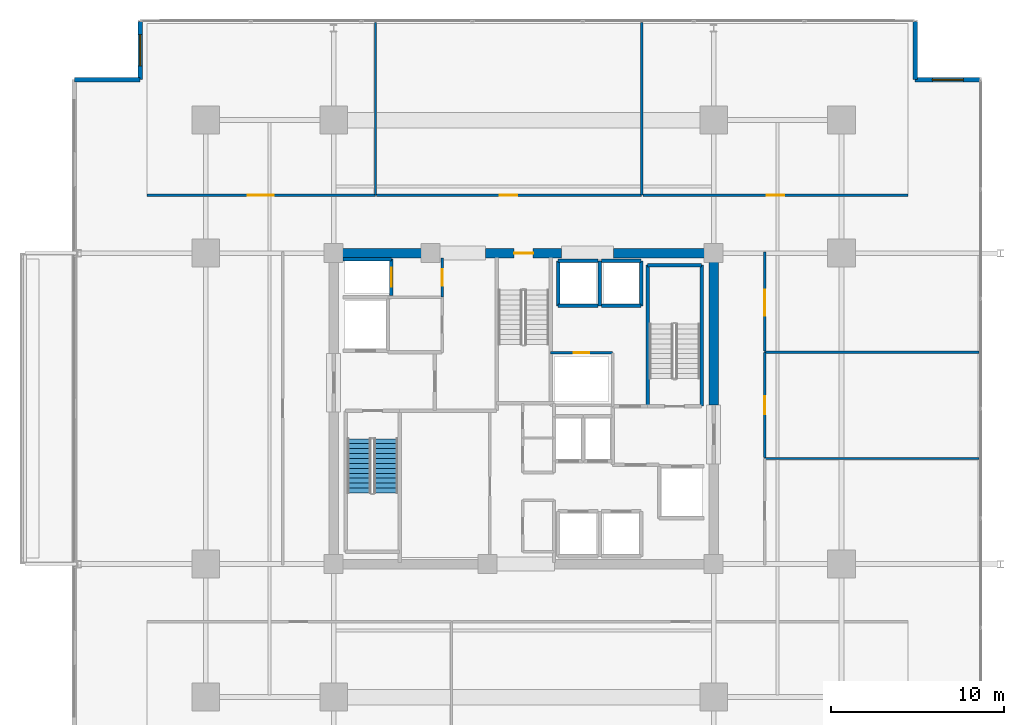
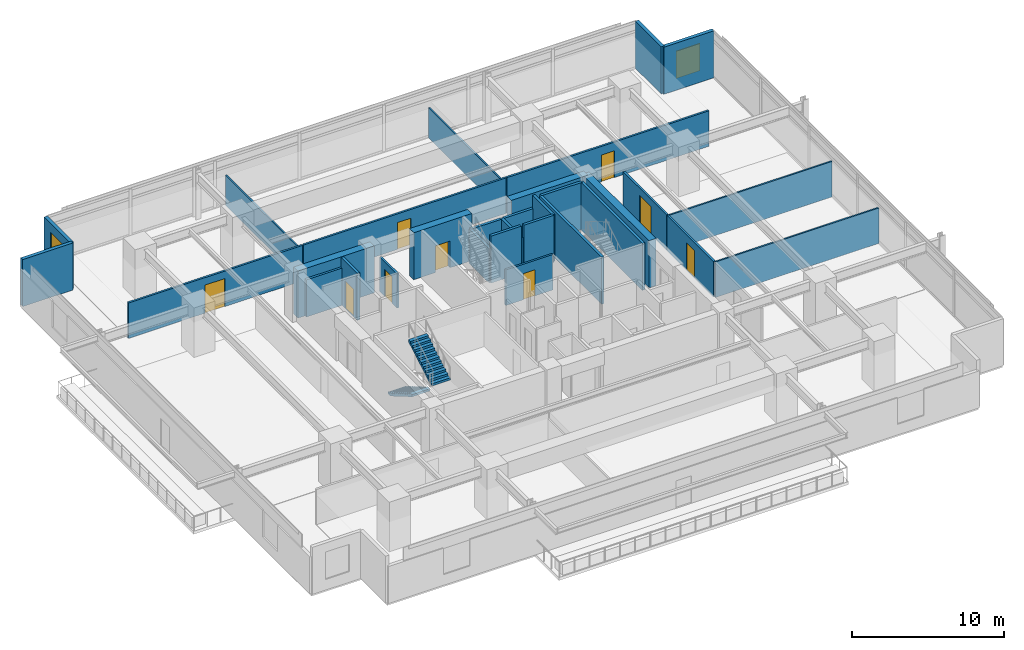
# One storey, part 16 of 23: 31 walls, 9 doors, 2 stair flights, 2 windows, 11 openings, 1 element without a shape of its own.
"""IFC4 building model written with IfcOpenShell, lengths in metres."""

from ifc_helpers import new_model, si_unit, direction, frame, frame_2d, origin, place, context, subcontext, project, spatial, polyline, rectangle, outline, extrude, material, layer, layer_set, type_object, element, fill, aggregate, save


model = new_model("IFC4")

# Units and contexts
model_context = context("Model", 3, precision=1e-05, world=origin(), true_north=direction((0.0, 1.0)))
body_context = subcontext(model_context, "Body", "Model", "MODEL_VIEW")
ifc_project = project(units=[si_unit("LENGTHUNIT", "METRE"), si_unit("AREAUNIT", "SQUARE_METRE"), si_unit("VOLUMEUNIT", "CUBIC_METRE"), si_unit("PLANEANGLEUNIT", "RADIAN"), si_unit("MASSUNIT", "GRAM", prefix="KILO")], contexts=[model_context])

# Site, building, storey
site_placement = place(None, origin())
site = spatial("IfcSite", under=ifc_project, at=site_placement, CompositionType="ELEMENT")
building_placement = place(site_placement, origin())
building = spatial("IfcBuilding", under=site, at=building_placement, Name="Kovane Verandah Tower", CompositionType="ELEMENT")
storey_placement = place(building_placement, frame((0.0, 0.0, 140.39990234375)))
storey = spatial("IfcBuildingStorey", under=building, at=storey_placement, Name="L32", CompositionType="ELEMENT", Elevation=140.39990234375)

# Wall, opening, door
ifc_material_1 = material(Name="Fire-Rated Gypsum Stud Partition", Category="gypsum")
ifc_layer_1 = layer(ifc_material_1, 0.14990234375)
ifc_layer_set_1 = layer_set([ifc_layer_1], Name="Fire-Rated Gypsum Stud Partition")
wall_type_1 = type_object("IfcWallType", Name="WL-COR-150", PredefinedType="PARTITIONING", material=ifc_layer_set_1)
wall_1_placement = place(storey_placement, frame((35.280029296875, 33.949951171875, 0.0), z_axis=(0.0, 0.0, 1.0), x_axis=(0.0, 1.0, 0.0)))
wall_1 = element("IfcWall", 1, at=wall_1_placement, inside=storey, type_object=wall_type_1, Name="L32 Goods Lift Lobby East Fire Partition", PredefinedType="PARTITIONING", context=body_context, shape_type="SweptSolid", body=[
    extrude(rectangle(XDim=2.27001953125, YDim=0.14990234375, at=frame_2d((1.135009765625, 0.0))), origin(), (0.0, 0.0, 1.0), 2.755126953125),
])
opening_1_placement = place(wall_1_placement, frame((0.659912109375, 0.0, 0.0)))
opening_1 = element("IfcOpeningElement", 2, at=opening_1_placement, cuts=wall_1, Name="Opening DR-L32-008", PredefinedType="OPENING", context=body_context, shape_type="SweptSolid", body=[
    extrude(rectangle(XDim=0.949951171875, YDim=2.14990234375, at=frame_2d((0.47509765625, 1.074951171875))), frame((0.0, 0.074951171875, 0.0), z_axis=(0.0, -1.0, 0.0), x_axis=(1.0, 0.0, 0.0)), (0.0, 0.0, 1.0), 0.14990234375),
])
ifc_material_2 = material(Name="Fire-Rated Steel Refuge and Lobby Door", Category="steel")
door_type_1 = type_object("IfcDoorType", Name="DR-FIRE-950", OperationType="SINGLE_SWING_LEFT", PredefinedType="DOOR", material=ifc_material_2)
door_1_placement = place(opening_1_placement, origin())
door_1 = element("IfcDoor", 3, at=door_1_placement, inside=storey, type_object=door_type_1, Name="L32 Goods Lift Lobby Fire Door", OperationType="SINGLE_SWING_LEFT", OverallHeight=2.14990234375, OverallWidth=0.949951171875, PredefinedType="DOOR", context=body_context, shape_type="SweptSolid", body=[
    extrude(rectangle(XDim=0.949951171875, YDim=2.14990234375, at=frame_2d((0.47509765625, 1.074951171875))), frame((0.0, 0.02490234375, 0.0), z_axis=(0.0, -1.0, 0.0), x_axis=(1.0, 0.0, 0.0)), (0.0, 0.0, 1.0), 0.050048828125),
])
fill(opening_1, door_1)

wall_2_placement = place(storey_placement, frame((41.56005859375, 30.719970703125, 0.0), z_axis=(0.0, 0.0, 1.0), x_axis=(1.0, 0.0, 0.0)))
wall_2 = element("IfcWall", 4, at=wall_2_placement, inside=storey, type_object=wall_type_1, Name="L32 Combined Chilled Water and Smoke Duct Room Partition", PredefinedType="PARTITIONING", context=body_context, shape_type="SweptSolid", body=[
    extrude(rectangle(XDim=3.58984375, YDim=0.14990234375, at=frame_2d((1.794921875, 0.0))), origin(), (0.0, 0.0, 1.0), 2.85009765625),
])
opening_2_placement = place(wall_2_placement, frame((1.35498046875, 0.0, 0.0)))
opening_2 = element("IfcOpeningElement", 5, at=opening_2_placement, cuts=wall_2, Name="Opening DR-L32-016", PredefinedType="OPENING", context=body_context, shape_type="SweptSolid", body=[
    extrude(rectangle(XDim=0.8798828125, YDim=2.10009765625, at=frame_2d((0.43994140625, 1.050048828125))), frame((0.0, 0.074951171875, 0.0), z_axis=(0.0, -1.0, 0.0), x_axis=(1.0, 0.0, 0.0)), (0.0, 0.0, 1.0), 0.14990234375),
])
ifc_material_3 = material(Name="Fire-Rated Steel Riser Access Door", Category="steel")
door_type_2 = type_object("IfcDoorType", Name="DR-RISER-880", OperationType="SINGLE_SWING_LEFT", PredefinedType="DOOR", material=ifc_material_3)
door_2_placement = place(opening_2_placement, origin())
door_2 = element("IfcDoor", 6, at=door_2_placement, inside=storey, type_object=door_type_2, Name="L32 Combined Chilled Water and Smoke Duct Room Door", OperationType="SINGLE_SWING_RIGHT", OverallHeight=2.10009765625, OverallWidth=0.8798828125, PredefinedType="DOOR", context=body_context, shape_type="SweptSolid", body=[
    extrude(rectangle(XDim=0.8798828125, YDim=2.10009765625, at=frame_2d((0.43994140625, 1.050048828125))), frame((0.0, 0.02490234375, 0.0), z_axis=(0.0, -1.0, 0.0), x_axis=(1.0, 0.0, 0.0)), (0.0, 0.0, 1.0), 0.050048828125),
])
fill(opening_2, door_2)

wall_3_placement = place(storey_placement, frame((18.198974609375, 39.85009765625, 0.0), z_axis=(0.0, 0.0, 1.0), x_axis=(1.0, 0.0, 0.0)))
wall_3 = element("IfcWall", 7, at=wall_3_placement, inside=storey, type_object=wall_type_1, Name="L32 Client Boardroom N1 Corridor Partition", PredefinedType="PARTITIONING", context=body_context, shape_type="SweptSolid", body=[
    extrude(rectangle(XDim=13.217041015625, YDim=0.14990234375, at=frame_2d((6.6083984375, 0.0))), origin(), (0.0, 0.0, 1.0), 2.85009765625),
])
opening_3_placement = place(wall_3_placement, frame((5.823486328125, 0.0, 0.0)))
opening_3 = element("IfcOpeningElement", 8, at=opening_3_placement, cuts=wall_3, Name="Opening DR-L32-017", PredefinedType="OPENING", context=body_context, shape_type="SweptSolid", body=[
    extrude(rectangle(XDim=1.5, YDim=2.25, at=frame_2d((0.75, 1.125))), frame((0.0, 0.074951171875, 0.0), z_axis=(0.0, -1.0, 0.0), x_axis=(1.0, 0.0, 0.0)), (0.0, 0.0, 1.0), 0.14990234375),
])
ifc_material_4 = material(Name="Glazed Timber Fire-Rated Double Door", Category="wood")
door_type_3 = type_object("IfcDoorType", Name="DR-CONF-1500", OperationType="DOUBLE_DOOR_SINGLE_SWING", PredefinedType="DOOR", material=ifc_material_4)
door_3_placement = place(opening_3_placement, origin())
door_3 = element("IfcDoor", 9, at=door_3_placement, inside=storey, type_object=door_type_3, Name="L32 Client Boardroom N1 Entrance Door", OperationType="DOUBLE_DOOR_SINGLE_SWING", OverallHeight=2.25, OverallWidth=1.5, PredefinedType="DOOR", context=body_context, shape_type="SweptSolid", body=[
    extrude(rectangle(XDim=1.5, YDim=2.25, at=frame_2d((0.75, 1.125))), frame((0.0, 0.02490234375, 0.0), z_axis=(0.0, -1.0, 0.0), x_axis=(1.0, 0.0, 0.0)), (0.0, 0.0, 1.0), 0.050048828125),
])
fill(opening_3, door_3)

wall_4_placement = place(storey_placement, frame((31.486083984375, 39.85009765625, 0.0), z_axis=(0.0, 0.0, 1.0), x_axis=(1.0, 0.0, 0.0)))
wall_4 = element("IfcWall", 10, at=wall_4_placement, inside=storey, type_object=wall_type_1, Name="L32 Meeting Room N2 Corridor Partition", PredefinedType="PARTITIONING", context=body_context, shape_type="SweptSolid", body=[
    extrude(rectangle(XDim=15.35009765625, YDim=0.14990234375, at=frame_2d((7.675048828125, 0.0))), origin(), (0.0, 0.0, 1.0), 2.85009765625),
])
opening_4_placement = place(wall_4_placement, frame((7.139892578125, 0.0, 0.0)))
opening_4 = element("IfcOpeningElement", 11, at=opening_4_placement, cuts=wall_4, Name="Opening DR-L32-018", PredefinedType="OPENING", context=body_context, shape_type="SweptSolid", body=[
    extrude(rectangle(XDim=1.0, YDim=2.14990234375, at=frame_2d((0.5, 1.074951171875))), frame((0.0, 0.074951171875, 0.0), z_axis=(0.0, -1.0, 0.0), x_axis=(1.0, 0.0, 0.0)), (0.0, 0.0, 1.0), 0.14990234375),
])
ifc_material_5 = material(Name="FSC Spotted-Gum Timber Fire-Rated Office Door", Category="wood")
door_type_4 = type_object("IfcDoorType", Name="DR-OFF-1000", OperationType="SINGLE_SWING_LEFT", PredefinedType="DOOR", material=ifc_material_5)
door_4_placement = place(opening_4_placement, origin())
door_4 = element("IfcDoor", 12, at=door_4_placement, inside=storey, type_object=door_type_4, Name="L32 Meeting Room N2 Entrance Door", OperationType="SINGLE_SWING_RIGHT", OverallHeight=2.14990234375, OverallWidth=1.0, PredefinedType="DOOR", context=body_context, shape_type="SweptSolid", body=[
    extrude(rectangle(XDim=1.0, YDim=2.14990234375, at=frame_2d((0.5, 1.074951171875))), frame((0.0, 0.02490234375, 0.0), z_axis=(0.0, -1.0, 0.0), x_axis=(1.0, 0.0, 0.0)), (0.0, 0.0, 1.0), 0.050048828125),
])
fill(opening_4, door_4)

wall_5_placement = place(storey_placement, frame((46.906005859375, 39.85009765625, 0.0), z_axis=(0.0, 0.0, 1.0), x_axis=(1.0, 0.0, 0.0)))
wall_5 = element("IfcWall", 13, at=wall_5_placement, inside=storey, type_object=wall_type_1, Name="L32 Focus Studio N3 Corridor Partition", PredefinedType="PARTITIONING", context=body_context, shape_type="SweptSolid", body=[
    extrude(rectangle(XDim=15.35009765625, YDim=0.14990234375, at=frame_2d((7.675048828125, 0.0))), origin(), (0.0, 0.0, 1.0), 2.85009765625),
])
opening_5_placement = place(wall_5_placement, frame((7.175048828125, 0.0, 0.0)))
opening_5 = element("IfcOpeningElement", 14, at=opening_5_placement, cuts=wall_5, Name="Opening DR-L32-019", PredefinedType="OPENING", context=body_context, shape_type="SweptSolid", body=[
    extrude(rectangle(XDim=1.0, YDim=2.14990234375, at=frame_2d((0.5, 1.074951171875))), frame((0.0, 0.074951171875, 0.0), z_axis=(0.0, -1.0, 0.0), x_axis=(1.0, 0.0, 0.0)), (0.0, 0.0, 1.0), 0.14990234375),
])
door_5_placement = place(opening_5_placement, origin())
door_5 = element("IfcDoor", 15, at=door_5_placement, inside=storey, type_object=door_type_4, Name="L32 Focus Studio N3 Entrance Door", OperationType="SINGLE_SWING_LEFT", OverallHeight=2.14990234375, OverallWidth=1.0, PredefinedType="DOOR", context=body_context, shape_type="SweptSolid", body=[
    extrude(rectangle(XDim=1.0, YDim=2.14990234375, at=frame_2d((0.5, 1.074951171875))), frame((0.0, 0.02490234375, 0.0), z_axis=(0.0, -1.0, 0.0), x_axis=(1.0, 0.0, 0.0)), (0.0, 0.0, 1.0), 0.050048828125),
])
fill(opening_5, door_5)

wall_6_placement = place(storey_placement, frame((53.949951171875, 24.674072265625, 0.0), z_axis=(0.0, 0.0, 1.0), x_axis=(0.0, 1.0, 0.0)))
wall_6 = element("IfcWall", 16, at=wall_6_placement, inside=storey, type_object=wall_type_1, Name="L32 Executive Office E2 Corridor Partition", PredefinedType="PARTITIONING", context=body_context, shape_type="SweptSolid", body=[
    extrude(rectangle(XDim=6.083984375, YDim=0.14990234375, at=frame_2d((3.0419921875, 0.0))), origin(), (0.0, 0.0, 1.0), 2.85009765625),
])
opening_6_placement = place(wall_6_placement, frame((2.48193359375, 0.0, 0.0)))
opening_6 = element("IfcOpeningElement", 17, at=opening_6_placement, cuts=wall_6, Name="Opening DR-L32-013", PredefinedType="OPENING", context=body_context, shape_type="SweptSolid", body=[
    extrude(rectangle(XDim=1.050048828125, YDim=2.199951171875, at=frame_2d((0.52490234375, 1.10009765625))), frame((0.0, 0.074951171875, 0.0), z_axis=(0.0, -1.0, 0.0), x_axis=(1.0, 0.0, 0.0)), (0.0, 0.0, 1.0), 0.14990234375),
])
ifc_material_6 = material(Name="FSC Blackbutt Timber Fire-Rated Executive Door", Category="wood")
door_type_5 = type_object("IfcDoorType", Name="DR-EXEC-1050", OperationType="SINGLE_SWING_LEFT", PredefinedType="DOOR", material=ifc_material_6)
door_6_placement = place(opening_6_placement, origin())
door_6 = element("IfcDoor", 18, at=door_6_placement, inside=storey, type_object=door_type_5, Name="L32 Executive Office E2 Entrance Door", OperationType="SINGLE_SWING_RIGHT", OverallHeight=2.199951171875, OverallWidth=1.050048828125, PredefinedType="DOOR", context=body_context, shape_type="SweptSolid", body=[
    extrude(rectangle(XDim=1.050048828125, YDim=2.199951171875, at=frame_2d((0.52490234375, 1.10009765625))), frame((0.0, 0.02490234375, 0.0), z_axis=(0.0, -1.0, 0.0), x_axis=(1.0, 0.0, 0.0)), (0.0, 0.0, 1.0), 0.050048828125),
])
fill(opening_6, door_6)

wall_7_placement = place(storey_placement, frame((53.949951171875, 30.827880859375, 0.0), z_axis=(0.0, 0.0, 1.0), x_axis=(0.0, 1.0, 0.0)))
wall_7 = element("IfcWall", 19, at=wall_7_placement, inside=storey, type_object=wall_type_1, Name="L32 Client Boardroom E3 Corridor Partition", PredefinedType="PARTITIONING", context=body_context, shape_type="SweptSolid", body=[
    extrude(rectangle(XDim=5.72216796875, YDim=0.14990234375, at=frame_2d((2.861083984375, 0.0))), origin(), (0.0, 0.0, 1.0), 2.85009765625),
])
opening_7_placement = place(wall_7_placement, frame((2.035888671875, 0.0, 0.0)))
opening_7 = element("IfcOpeningElement", 20, at=opening_7_placement, cuts=wall_7, Name="Opening DR-L32-014", PredefinedType="OPENING", context=body_context, shape_type="SweptSolid", body=[
    extrude(rectangle(XDim=1.5, YDim=2.25, at=frame_2d((0.75, 1.125))), frame((0.0, 0.074951171875, 0.0), z_axis=(0.0, -1.0, 0.0), x_axis=(1.0, 0.0, 0.0)), (0.0, 0.0, 1.0), 0.14990234375),
])
door_7_placement = place(opening_7_placement, origin())
door_7 = element("IfcDoor", 21, at=door_7_placement, inside=storey, type_object=door_type_3, Name="L32 Client Boardroom E3 Entrance Door", OperationType="DOUBLE_DOOR_SINGLE_SWING", OverallHeight=2.25, OverallWidth=1.5, PredefinedType="DOOR", context=body_context, shape_type="SweptSolid", body=[
    extrude(rectangle(XDim=1.5, YDim=2.25, at=frame_2d((0.75, 1.125))), frame((0.0, 0.02490234375, 0.0), z_axis=(0.0, -1.0, 0.0), x_axis=(1.0, 0.0, 0.0)), (0.0, 0.0, 1.0), 0.050048828125),
])
fill(opening_7, door_7)

# Wall
ifc_material_7 = material(Name="Concrete C60/75", Category="concrete")
ifc_layer_2 = layer(ifc_material_7, 0.550048828125)
ifc_layer_set_2 = layer_set([ifc_layer_2], Name="Concrete C60/75")
wall_type_2 = type_object("IfcWallType", Name="WL-CORE-550", PredefinedType="SHEAR", material=ifc_layer_set_2)
wall_8_placement = place(storey_placement, frame((29.0, 36.5, 0.0), z_axis=(0.0, 0.0, 1.0), x_axis=(1.0, 0.0, 0.0)))
element("IfcWall", 22, at=wall_8_placement, inside=storey, type_object=wall_type_2, Name="L32 Core Shear Wall CN-1", PredefinedType="SHEAR", context=body_context, shape_type="SweptSolid", body=[
    extrude(rectangle(XDim=5.800048828125, YDim=0.550048828125, at=frame_2d((2.89990234375, 0.0))), origin(), (0.0, 0.0, 1.0), 3.775146484375),
])

# Wall, opening, door
wall_9_placement = place(storey_placement, frame((37.800048828125, 36.5, 0.0), z_axis=(0.0, 0.0, 1.0), x_axis=(1.0, 0.0, 0.0)))
wall_9 = element("IfcWall", 23, at=wall_9_placement, inside=storey, type_object=wall_type_2, Name="L32 Core Shear Wall CN-2", PredefinedType="SHEAR", context=body_context, shape_type="SweptSolid", body=[
    extrude(rectangle(XDim=4.39990234375, YDim=0.550048828125, at=frame_2d((2.199951171875, 0.0))), origin(), (0.0, 0.0, 1.0), 3.775146484375),
])
opening_8_placement = place(wall_9_placement, frame((1.64990234375, 0.0, 0.0)))
opening_8 = element("IfcOpeningElement", 24, at=opening_8_placement, cuts=wall_9, Name="Opening DR-L32-011", PredefinedType="OPENING", context=body_context, shape_type="SweptSolid", body=[
    extrude(rectangle(XDim=1.10009765625, YDim=2.14990234375, at=frame_2d((0.550048828125, 1.074951171875))), frame((0.0, 0.27490234375, 0.0), z_axis=(0.0, -1.0, 0.0), x_axis=(1.0, 0.0, 0.0)), (0.0, 0.0, 1.0), 0.550048828125),
])
ifc_material_8 = material(Name="Fire-Rated Steel Exit Door", Category="steel")
door_type_6 = type_object("IfcDoorType", Name="DR-STAIR-1100", OperationType="SINGLE_SWING_LEFT", PredefinedType="DOOR", material=ifc_material_8)
door_8_placement = place(opening_8_placement, origin())
door_8 = element("IfcDoor", 25, at=door_8_placement, inside=storey, type_object=door_type_6, Name="L32 ST-03 Fire Exit Stair Door", OperationType="SINGLE_SWING_LEFT", OverallHeight=2.14990234375, OverallWidth=1.10009765625, PredefinedType="DOOR", context=body_context, shape_type="SweptSolid", body=[
    extrude(rectangle(XDim=1.10009765625, YDim=2.14990234375, at=frame_2d((0.550048828125, 1.074951171875))), frame((0.0, 0.02490234375, 0.0), z_axis=(0.0, -1.0, 0.0), x_axis=(1.0, 0.0, 0.0)), (0.0, 0.0, 1.0), 0.050048828125),
])
fill(opening_8, door_8)

# Walls
wall_10_placement = place(storey_placement, frame((45.199951171875, 36.5, 0.0), z_axis=(0.0, 0.0, 1.0), x_axis=(1.0, 0.0, 0.0)))
element("IfcWall", 26, at=wall_10_placement, inside=storey, type_object=wall_type_2, Name="L32 Core Shear Wall CN-3", PredefinedType="SHEAR", context=body_context, shape_type="SweptSolid", body=[
    extrude(rectangle(XDim=5.800048828125, YDim=0.550048828125, at=frame_2d((2.89990234375, 0.0))), origin(), (0.0, 0.0, 1.0), 3.775146484375),
])
wall_11_placement = place(storey_placement, frame((51.0, 27.699951171875, 0.0), z_axis=(0.0, 0.0, 1.0), x_axis=(0.0, 1.0, 0.0)))
element("IfcWall", 27, at=wall_11_placement, inside=storey, type_object=wall_type_2, Name="L32 Core Shear Wall CE-2", PredefinedType="SHEAR", context=body_context, shape_type="SweptSolid", body=[
    extrude(rectangle(XDim=8.800048828125, YDim=0.550048828125, at=frame_2d((4.39990234375, 0.0))), origin(), (0.0, 0.0, 1.0), 3.775146484375),
])
ifc_material_9 = material(Name="Concrete C45/55 Lift Shaft Wall", Category="concrete")
ifc_layer_3 = layer(ifc_material_9, 0.199951171875)
ifc_layer_set_3 = layer_set([ifc_layer_3], Name="Concrete C45/55 Lift Shaft Wall")
wall_type_3 = type_object("IfcWallType", Name="WL-LIFT-200", PredefinedType="SOLIDWALL", material=ifc_layer_set_3)
wall_12_placement = place(storey_placement, frame((32.35009765625, 36.14990234375, 0.0), z_axis=(0.0, 0.0, 1.0), x_axis=(-1.0, 0.0, 0.0)))
element("IfcWall", 28, at=wall_12_placement, inside=storey, type_object=wall_type_3, Name="L32 Lift GL-01 N Shaft Wall", PredefinedType="SOLIDWALL", context=body_context, shape_type="SweptSolid", body=[
    extrude(rectangle(XDim=2.800048828125, YDim=0.199951171875, at=frame_2d((1.39990234375, 0.0))), origin(), (0.0, 0.0, 1.0), 2.9853515625),
])

# Wall, opening, door
wall_13_placement = place(storey_placement, frame((32.35009765625, 34.050048828125, 0.0), z_axis=(0.0, 0.0, 1.0), x_axis=(0.0, 1.0, 0.0)))
wall_13 = element("IfcWall", 29, at=wall_13_placement, inside=storey, type_object=wall_type_3, Name="L32 Lift GL-01 E Shaft Wall", PredefinedType="SOLIDWALL", context=body_context, shape_type="SweptSolid", body=[
    extrude(rectangle(XDim=2.099853515625, YDim=0.199951171875, at=frame_2d((1.0498046875, 0.0))), origin(), (0.0, 0.0, 1.0), 3.775146484375),
])
opening_9_placement = place(wall_13_placement, frame((0.5, 0.0, 0.0)))
opening_9 = element("IfcOpeningElement", 30, at=opening_9_placement, cuts=wall_13, Name="Opening LD-L32-003", PredefinedType="OPENING", context=body_context, shape_type="SweptSolid", body=[
    extrude(rectangle(XDim=1.10009765625, YDim=2.199951171875, at=frame_2d((0.550048828125, 1.10009765625))), frame((0.0, 0.10009765625, 0.0), z_axis=(0.0, -1.0, 0.0), x_axis=(1.0, 0.0, 0.0)), (0.0, 0.0, 1.0), 0.199951171875),
])
ifc_material_10 = material(Name="Brushed Stainless Steel Sliding Lift Landing Door", Category="steel")
door_type_7 = type_object("IfcDoorType", Name="DR-LIFT-1100", OperationType="SLIDING_TO_RIGHT", PredefinedType="DOOR", material=ifc_material_10)
door_9_placement = place(opening_9_placement, origin())
door_9 = element("IfcDoor", 31, at=door_9_placement, inside=storey, type_object=door_type_7, Name="L32 Lift GL-01 Sliding Landing Door", OperationType="SLIDING_TO_RIGHT", OverallHeight=2.199951171875, OverallWidth=1.10009765625, PredefinedType="DOOR", context=body_context, shape_type="SweptSolid", body=[
    extrude(rectangle(XDim=1.10009765625, YDim=2.199951171875, at=frame_2d((0.550048828125, 1.10009765625))), frame((0.0, 0.02490234375, 0.0), z_axis=(0.0, -1.0, 0.0), x_axis=(1.0, 0.0, 0.0)), (0.0, 0.0, 1.0), 0.050048828125),
])
fill(opening_9, door_9)

# Walls
wall_14_placement = place(storey_placement, frame((42.0, 33.449951171875, 0.0), z_axis=(0.0, 0.0, 1.0), x_axis=(1.0, 0.0, 0.0)))
element("IfcWall", 32, at=wall_14_placement, inside=storey, type_object=wall_type_3, Name="L32 Lift SL-01 S Shaft Wall", PredefinedType="SOLIDWALL", context=body_context, shape_type="SweptSolid", body=[
    extrude(rectangle(XDim=2.300048828125, YDim=0.199951171875, at=frame_2d((1.14990234375, 0.0))), origin(), (0.0, 0.0, 1.0), 3.775146484375),
])
wall_15_placement = place(storey_placement, frame((44.300048828125, 36.050048828125, 0.0), z_axis=(0.0, 0.0, 1.0), x_axis=(-1.0, 0.0, 0.0)))
element("IfcWall", 33, at=wall_15_placement, inside=storey, type_object=wall_type_3, Name="L32 Lift SL-01 N Shaft Wall", PredefinedType="SOLIDWALL", context=body_context, shape_type="SweptSolid", body=[
    extrude(rectangle(XDim=2.300048828125, YDim=0.199951171875, at=frame_2d((1.14990234375, 0.0))), origin(), (0.0, 0.0, 1.0), 2.755126953125),
])
for number, where, z_axis, x_axis, name in (
    (34, (42.0, 36.050048828125, 0.0), (0.0, 0.0, 1.0), (0.0, -1.0, 0.0), "L32 Lift SL-01 W Shaft Wall"),
    (35, (44.39990234375, 33.449951171875, 0.0), (0.0, 0.0, 1.0), (0.0, 1.0, 0.0), "L32 Lift OL-01 and SL-01 Shared Shaft Wall"),
):
    element("IfcWall", number, at=place(storey_placement, frame(where, z_axis=z_axis, x_axis=x_axis)), inside=storey, type_object=wall_type_3, Name=name, PredefinedType="SOLIDWALL", context=body_context, shape_type="SweptSolid", body=[
        extrude(rectangle(XDim=2.60009765625, YDim=0.199951171875, at=frame_2d((1.300048828125, 0.0))), origin(), (0.0, 0.0, 1.0), 2.755126953125),
    ])
wall_16_placement = place(storey_placement, frame((44.5, 33.449951171875, 0.0), z_axis=(0.0, 0.0, 1.0), x_axis=(1.0, 0.0, 0.0)))
element("IfcWall", 36, at=wall_16_placement, inside=storey, type_object=wall_type_3, Name="L32 Lift OL-01 S Shaft Wall", PredefinedType="SOLIDWALL", context=body_context, shape_type="SweptSolid", body=[
    extrude(rectangle(XDim=2.300048828125, YDim=0.199951171875, at=frame_2d((1.14990234375, 0.0))), origin(), (0.0, 0.0, 1.0), 3.775146484375),
])
wall_17_placement = place(storey_placement, frame((46.800048828125, 36.050048828125, 0.0), z_axis=(0.0, 0.0, 1.0), x_axis=(-1.0, 0.0, 0.0)))
element("IfcWall", 37, at=wall_17_placement, inside=storey, type_object=wall_type_3, Name="L32 Lift OL-01 N Shaft Wall", PredefinedType="SOLIDWALL", context=body_context, shape_type="SweptSolid", body=[
    extrude(rectangle(XDim=2.300048828125, YDim=0.199951171875, at=frame_2d((1.14990234375, 0.0))), origin(), (0.0, 0.0, 1.0), 2.755126953125),
])
wall_18_placement = place(storey_placement, frame((46.800048828125, 33.449951171875, 0.0), z_axis=(0.0, 0.0, 1.0), x_axis=(0.0, 1.0, 0.0)))
element("IfcWall", 38, at=wall_18_placement, inside=storey, type_object=wall_type_3, Name="L32 Lift OL-01 E Shaft Wall", PredefinedType="SOLIDWALL", context=body_context, shape_type="SweptSolid", body=[
    extrude(rectangle(XDim=2.60009765625, YDim=0.199951171875, at=frame_2d((1.300048828125, 0.0))), origin(), (0.0, 0.0, 1.0), 3.775146484375),
])
ifc_material_11 = material(Name="Acoustic Fire-Rated Gypsum Partition", Category="gypsum")
ifc_layer_4 = layer(ifc_material_11, 0.1201171875)
ifc_layer_set_4 = layer_set([ifc_layer_4], Name="Acoustic Fire-Rated Gypsum Partition")
wall_type_4 = type_object("IfcWallType", Name="WL-PART-120", PredefinedType="PARTITIONING", material=ifc_layer_set_4)
for number, where, z_axis, x_axis, name in (
    (39, (31.416015625, 39.85009765625, 0.0), (0.0, 0.0, 1.0), (0.0, 1.0, 0.0), "L32 Client Boardroom N1 Dividing Partition"),
    (40, (46.836181640625, 39.85009765625, 0.0), (0.0, 0.0, 1.0), (0.0, 1.0, 0.0), "L32 Meeting Room N2 Dividing Partition"),
):
    element("IfcWall", number, at=place(storey_placement, frame(where, z_axis=z_axis, x_axis=x_axis)), inside=storey, type_object=wall_type_4, Name=name, PredefinedType="PARTITIONING", context=body_context, shape_type="SweptSolid", body=[
        extrude(rectangle(XDim=9.99072265625, YDim=0.1201171875, at=frame_2d((4.995361328125, 0.0))), origin(), (0.0, 0.0, 1.0), 2.405029296875),
    ])
for number, where, z_axis, x_axis, name in (
    (41, (53.949951171875, 24.60400390625, 0.0), (0.0, 0.0, 1.0), (1.0, 0.0, 0.0), "L32 Open Plan Office E1 Dividing Partition"),
    (42, (53.949951171875, 30.758056640625, 0.0), (0.0, 0.0, 1.0), (1.0, 0.0, 0.0), "L32 Executive Office E2 Dividing Partition"),
):
    element("IfcWall", number, at=place(storey_placement, frame(where, z_axis=z_axis, x_axis=x_axis)), inside=storey, type_object=wall_type_4, Name=name, PredefinedType="PARTITIONING", context=body_context, shape_type="SweptSolid", body=[
        extrude(rectangle(XDim=12.40625, YDim=0.1201171875, at=frame_2d((6.203125, 0.0))), origin(), (0.0, 0.0, 1.0), 2.85009765625),
    ])
ifc_material_12 = material(Name="Concrete C45/55", Category="concrete")
ifc_layer_5 = layer(ifc_material_12, 0.199951171875)
ifc_layer_set_5 = layer_set([ifc_layer_5], Name="Concrete C45/55")
wall_type_5 = type_object("IfcWallType", Name="WL-SHAFT-200", PredefinedType="SOLIDWALL", material=ifc_layer_set_5)
wall_19_placement = place(storey_placement, frame((50.300048828125, 27.64990234375, 0.0), z_axis=(0.0, 0.0, 1.0), x_axis=(0.0, 1.0, 0.0)))
element("IfcWall", 43, at=wall_19_placement, inside=storey, type_object=wall_type_5, Name="W-L32-ST02-E", PredefinedType="SOLIDWALL", context=body_context, shape_type="SweptSolid", body=[
    extrude(rectangle(XDim=8.150146484375, YDim=0.199951171875, at=frame_2d((4.0751953125, 0.0))), origin(), (0.0, 0.0, 1.0), 3.775146484375),
])
wall_20_placement = place(storey_placement, frame((47.179931640625, 35.800048828125, 0.0), z_axis=(0.0, 0.0, 1.0), x_axis=(1.0, 0.0, 0.0)))
element("IfcWall", 44, at=wall_20_placement, inside=storey, type_object=wall_type_5, Name="W-L32-ST02-N", PredefinedType="SOLIDWALL", context=body_context, shape_type="SweptSolid", body=[
    extrude(rectangle(XDim=3.1201171875, YDim=0.199951171875, at=frame_2d((1.56005859375, 0.0))), origin(), (0.0, 0.0, 1.0), 3.775146484375),
])
wall_21_placement = place(storey_placement, frame((47.179931640625, 27.6201171875, 0.0), z_axis=(0.0, 0.0, 1.0), x_axis=(0.0, 1.0, 0.0)))
element("IfcWall", 45, at=wall_21_placement, inside=storey, type_object=wall_type_5, Name="W-L32-ST02-W", PredefinedType="SOLIDWALL", context=body_context, shape_type="SweptSolid", body=[
    extrude(rectangle(XDim=8.179931640625, YDim=0.199951171875, at=frame_2d((4.08984375, 0.0))), origin(), (0.0, 0.0, 1.0), 3.775146484375),
])

# Wall, opening, window
ifc_material_13 = material(Name="Concrete C45/55 Insulated Spandrel Wall", Category="concrete")
ifc_layer_6 = layer(ifc_material_13, 0.260009765625)
ifc_layer_set_6 = layer_set([ifc_layer_6], Name="Concrete C45/55 Insulated Spandrel Wall")
wall_type_6 = type_object("IfcWallType", Name="WL-SPANDREL-260", PredefinedType="PARAPET", material=ifc_layer_set_6)
wall_22_placement = place(storey_placement, frame((66.4560546875, 46.540771484375, 0.0), z_axis=(0.0, 0.0, 1.0), x_axis=(-1.0, 0.0, 0.0)))
wall_22 = element("IfcWall", 46, at=wall_22_placement, inside=storey, type_object=wall_type_6, Name="L32 NE Notch Cheek Wall 1", PredefinedType="PARAPET", context=body_context, shape_type="SweptSolid", body=[
    extrude(rectangle(XDim=3.800048828125, YDim=0.260009765625, at=frame_2d((1.89990234375, 0.0))), origin(), (0.0, 0.0, 1.0), 3.775146484375),
])
opening_10_placement = place(wall_22_placement, frame((1.0, 0.0, 0.85009765625)))
opening_10 = element("IfcOpeningElement", 47, at=opening_10_placement, cuts=wall_22, Name="Opening W-03", PredefinedType="OPENING", context=body_context, shape_type="SweptSolid", body=[
    extrude(rectangle(XDim=1.800048828125, YDim=2.199951171875, at=frame_2d((0.89990234375, 1.10009765625))), frame((0.0, 0.1298828125, 0.0), z_axis=(0.0, -1.0, 0.0), x_axis=(1.0, 0.0, 0.0)), (0.0, 0.0, 1.0), 0.260009765625),
])
ifc_material_14 = material(Name="Clear Low-E Laminated Double Glazing in Anodised Frame", Category="glass")
window_type = type_object("IfcWindowType", Name="WN-NOTCH-1800x2200", PartitioningType="SINGLE_PANEL", PredefinedType="WINDOW", material=ifc_material_14)
window_1_placement = place(opening_10_placement, origin())
window_1 = element("IfcWindow", 48, at=window_1_placement, inside=storey, type_object=window_type, Name="L32 NE Re-Entrant Corner Operable Window", OverallHeight=2.199951171875, OverallWidth=1.800048828125, PartitioningType="SINGLE_PANEL", PredefinedType="WINDOW", context=body_context, shape_type="SweptSolid", body=[
    extrude(rectangle(XDim=1.800048828125, YDim=2.199951171875, at=frame_2d((0.89990234375, 1.10009765625))), frame((0.0, 0.030029296875, 0.0), z_axis=(0.0, -1.0, 0.0), x_axis=(1.0, 0.0, 0.0)), (0.0, 0.0, 1.0), 0.06005859375),
])
fill(opening_10, window_1)

# Wall
wall_23_placement = place(storey_placement, frame((62.656005859375, 46.540771484375, 0.0), z_axis=(0.0, 0.0, 1.0), x_axis=(0.0, 1.0, 0.0)))
element("IfcWall", 49, at=wall_23_placement, inside=storey, type_object=wall_type_6, Name="L32 NE Notch Cheek Wall 2", PredefinedType="PARAPET", context=body_context, shape_type="SweptSolid", body=[
    extrude(rectangle(XDim=3.400146484375, YDim=0.260009765625, at=frame_2d((1.7001953125, 0.0))), origin(), (0.0, 0.0, 1.0), 3.775146484375),
])

# Wall, opening, window
wall_24_placement = place(storey_placement, frame((17.798828125, 49.94091796875, 0.0), z_axis=(0.0, 0.0, 1.0), x_axis=(0.0, -1.0, 0.0)))
wall_24 = element("IfcWall", 50, at=wall_24_placement, inside=storey, type_object=wall_type_6, Name="L32 NW Notch Cheek Wall 1", PredefinedType="PARAPET", context=body_context, shape_type="SweptSolid", body=[
    extrude(rectangle(XDim=3.400146484375, YDim=0.260009765625, at=frame_2d((1.7001953125, 0.0))), origin(), (0.0, 0.0, 1.0), 3.775146484375),
])
opening_11_placement = place(wall_24_placement, frame((0.800048828125, 0.0, 0.85009765625)))
opening_11 = element("IfcOpeningElement", 51, at=opening_11_placement, cuts=wall_24, Name="Opening W-03", PredefinedType="OPENING", context=body_context, shape_type="SweptSolid", body=[
    extrude(rectangle(XDim=1.800048828125, YDim=2.199951171875, at=frame_2d((0.89990234375, 1.10009765625))), frame((0.0, 0.1298828125, 0.0), z_axis=(0.0, -1.0, 0.0), x_axis=(1.0, 0.0, 0.0)), (0.0, 0.0, 1.0), 0.260009765625),
])
window_2_placement = place(opening_11_placement, origin())
window_2 = element("IfcWindow", 52, at=window_2_placement, inside=storey, type_object=window_type, Name="L32 NW Re-Entrant Corner Operable Window", OverallHeight=2.199951171875, OverallWidth=1.800048828125, PartitioningType="SINGLE_PANEL", PredefinedType="WINDOW", context=body_context, shape_type="SweptSolid", body=[
    extrude(rectangle(XDim=1.800048828125, YDim=2.199951171875, at=frame_2d((0.89990234375, 1.10009765625))), frame((0.0, 0.030029296875, 0.0), z_axis=(0.0, -1.0, 0.0), x_axis=(1.0, 0.0, 0.0)), (0.0, 0.0, 1.0), 0.06005859375),
])
fill(opening_11, window_2)

# Wall
wall_25_placement = place(storey_placement, frame((17.798828125, 46.540771484375, 0.0), z_axis=(0.0, 0.0, 1.0), x_axis=(-1.0, 0.0, 0.0)))
element("IfcWall", 53, at=wall_25_placement, inside=storey, type_object=wall_type_6, Name="L32 NW Notch Cheek Wall 2", PredefinedType="PARAPET", context=body_context, shape_type="SweptSolid", body=[
    extrude(rectangle(XDim=3.800048828125, YDim=0.260009765625, at=frame_2d((1.89990234375, 0.0))), origin(), (0.0, 0.0, 1.0), 3.775146484375),
])

# Stair, stair flights
stair_type = type_object("IfcStairType", Name="ST-CORE-1380", PredefinedType="HALF_TURN_STAIR", material=ifc_material_12)
stair_placement = place(storey_placement, origin())
stair = element("IfcStair", 54, at=stair_placement, inside=storey, type_object=stair_type, Name="L32 Exit Stair ST-01", PredefinedType="HALF_TURN_STAIR")
stair_flight_type = type_object("IfcStairFlightType", Name="STF-CORE-1380", PredefinedType="STRAIGHT", material=ifc_material_12)
stair_flight_1_placement = place(storey_placement, frame((30.489990234375, 25.75, 0.0), z_axis=(0.0, 0.0, 1.0), x_axis=(0.0, -1.0, 0.0)))
stair_flight_1 = element("IfcStairFlight", 55, at=stair_flight_1_placement, type_object=stair_flight_type, Name="ST-01 flight 1", NumberOfRisers=12, NumberOfTreads=11, PredefinedType="STRAIGHT", RiserHeight=0.166666667, TreadLength=0.285, context=body_context, shape_type="SweptSolid", body=[
    extrude(outline(polyline([(0.0, 0.0), (0.0, 0.166748046875), (0.284912109375, 0.166748046875), (0.284912109375, 0.333251953125), (0.570068359375, 0.333251953125), (0.570068359375, 0.5), (0.85498046875, 0.5), (0.85498046875, 0.666748046875), (1.139892578125, 0.666748046875), (1.139892578125, 0.833251953125), (1.425048828125, 0.833251953125), (1.425048828125, 1.0), (1.7099609375, 1.0), (1.7099609375, 1.166748046875), (1.9951171875, 1.166748046875), (1.9951171875, 1.333251953125), (2.280029296875, 1.333251953125), (2.280029296875, 1.5), (2.56494140625, 1.5), (2.56494140625, 1.666748046875), (2.85009765625, 1.666748046875), (2.85009765625, 1.833251953125), (3.135009765625, 1.833251953125), (3.135009765625, 2.0), (3.135009765625, 1.65966796875), (0.296875, 0.0), (0.0, 0.0)])), frame((0.0, 0.68994140625, 0.0), z_axis=(0.0, -1.0, 0.0), x_axis=(1.0, 0.0, 0.0)), (0.0, 0.0, 1.0), 1.3798828125),
])
stair_flight_2_placement = place(storey_placement, frame((32.030029296875, 22.614990234375, 2.0), z_axis=(0.0, 0.0, 1.0), x_axis=(0.0, 1.0, 0.0)))
stair_flight_2 = element("IfcStairFlight", 56, at=stair_flight_2_placement, type_object=stair_flight_type, Name="ST-01 flight 2", NumberOfRisers=12, NumberOfTreads=11, PredefinedType="STRAIGHT", RiserHeight=0.166666667, TreadLength=0.285, context=body_context, shape_type="SweptSolid", body=[
    extrude(outline(polyline([(0.0, 0.0), (0.0, 0.166748046875), (0.284912109375, 0.166748046875), (0.284912109375, 0.333251953125), (0.570068359375, 0.333251953125), (0.570068359375, 0.5), (0.85498046875, 0.5), (0.85498046875, 0.666748046875), (1.139892578125, 0.666748046875), (1.139892578125, 0.833251953125), (1.425048828125, 0.833251953125), (1.425048828125, 1.0), (1.7099609375, 1.0), (1.7099609375, 1.166748046875), (1.9951171875, 1.166748046875), (1.9951171875, 1.333251953125), (2.280029296875, 1.333251953125), (2.280029296875, 1.5), (2.56494140625, 1.5), (2.56494140625, 1.666748046875), (2.85009765625, 1.666748046875), (2.85009765625, 1.833251953125), (3.135009765625, 1.833251953125), (3.135009765625, 2.0), (3.135009765625, 1.65966796875), (0.296875, 0.0), (0.0, 0.0)])), frame((0.0, 0.68994140625, 0.0), z_axis=(0.0, -1.0, 0.0), x_axis=(1.0, 0.0, 0.0)), (0.0, 0.0, 1.0), 1.3798828125),
])
aggregate(stair, [stair_flight_1, stair_flight_2])

save(model, "model.ifc")
